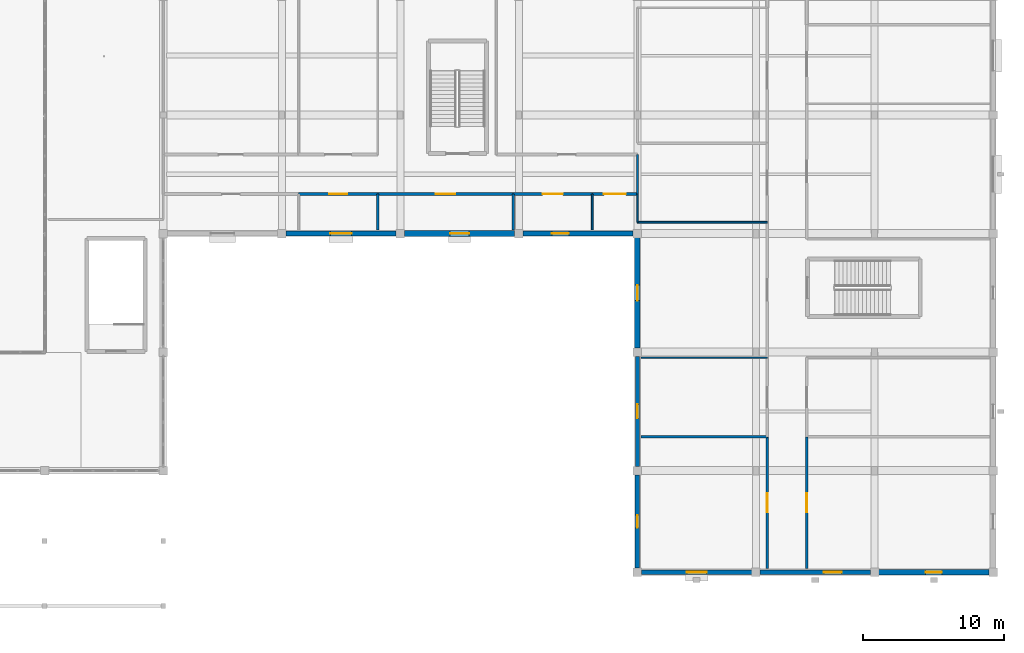
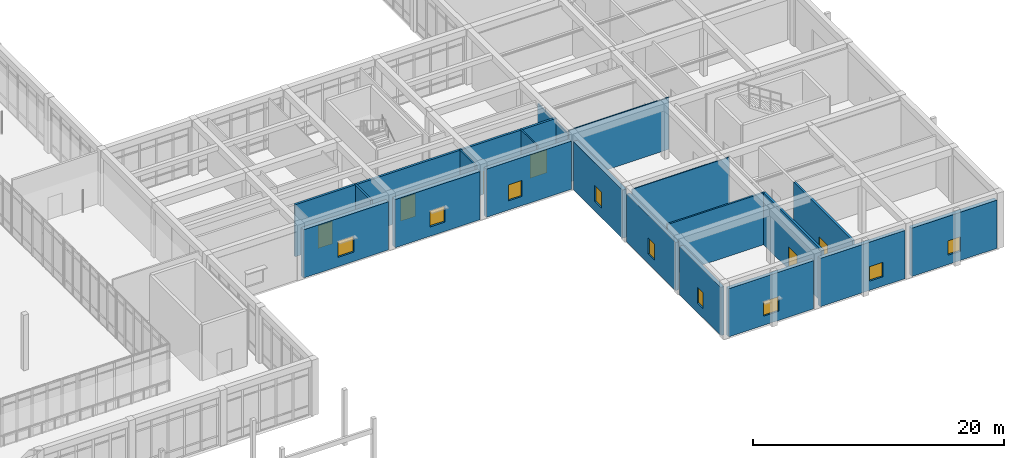
# One storey, part 89 of 157: 23 walls, 9 windows, 6 doors, 15 openings.
"""IFC4 building model written with IfcOpenShell, lengths in metres."""

from ifc_helpers import new_model, si_unit, direction, frame, frame_2d, origin, place, context, subcontext, project, spatial, rectangle, extrude, material, layer, layer_set, type_object, element, fill, save


model = new_model("IFC4")

# Units and contexts
model_context = context("Model", 3, precision=1e-05, world=origin(), true_north=direction((0.0, 1.0)))
body_context = subcontext(model_context, "Body", "Model", "MODEL_VIEW")
ifc_project = project(units=[si_unit("LENGTHUNIT", "METRE"), si_unit("AREAUNIT", "SQUARE_METRE"), si_unit("VOLUMEUNIT", "CUBIC_METRE"), si_unit("PLANEANGLEUNIT", "RADIAN"), si_unit("MASSUNIT", "GRAM", prefix="KILO")], contexts=[model_context])

# Site, building, storey
site_placement = place(None, origin())
site = spatial("IfcSite", under=ifc_project, at=site_placement, CompositionType="ELEMENT")
building_placement = place(site_placement, origin())
building = spatial("IfcBuilding", under=site, at=building_placement, Name="Varncliffe General Hospital", CompositionType="ELEMENT")
storey_placement = place(building_placement, frame((0.0, 0.0, 5.39990234375)))
storey = spatial("IfcBuildingStorey", under=building, at=storey_placement, Name="L01", CompositionType="ELEMENT", Elevation=5.39990234375)

# Wall, opening, window
ifc_material_1 = material(Name="Precast concrete C40/50 with insulated cream lime-cement stucco", Category="concrete")
ifc_layer_1 = layer(ifc_material_1, 0.31005859375)
ifc_layer_set_1 = layer_set([ifc_layer_1], Name="Precast concrete C40/50 with insulated cream lime-cement stucco")
wall_type_1 = type_object("IfcWallType", Name="Exterior Insulated Stucco Wall EW20 (310mm)", PredefinedType="SOLIDWALL", material=ifc_layer_set_1)
wall_1_placement = place(storey_placement, frame((151.199951171875, 0.298095703125, 0.0), z_axis=(0.0, 0.0, 1.0), x_axis=(0.0, 1.0, 0.0)))
wall_1 = element("IfcWall", 1, at=wall_1_placement, inside=storey, type_object=wall_type_1, Name="L01 Exterior Stucco Wall EW20-156", PredefinedType="SOLIDWALL", context=body_context, shape_type="SweptSolid", body=[
    extrude(rectangle(XDim=6.60400390625, YDim=0.31005859375, at=frame_2d((3.302001953125, 0.0))), origin(), (0.0, 0.0, 1.0), 4.68017578125),
])
opening_1_placement = place(wall_1_placement, frame((2.85205078125, 0.0, 0.89990234375)))
opening_1 = element("IfcOpeningElement", 2, at=opening_1_placement, cuts=wall_1, Name="Opening WN45", PredefinedType="OPENING", context=body_context, shape_type="SweptSolid", body=[
    extrude(rectangle(XDim=0.89990234375, YDim=1.550048828125, at=frame_2d((0.449951171875, 0.77490234375))), frame((0.0, 0.1650390625, 0.0), z_axis=(0.0, -1.0, 0.0), x_axis=(1.0, 0.0, 0.0)), (0.0, 0.0, 1.0), 0.330078125),
])
ifc_material_2 = material(Name="Triple low-E argon insulated vision glazing", Category="glass")
window_type_1 = type_object("IfcWindowType", Name="Triple-Glazed Hospital Window WN45 (900x1550)", PartitioningType="SINGLE_PANEL", PredefinedType="WINDOW", material=ifc_material_2)
window_1_placement = place(opening_1_placement, origin())
window_1 = element("IfcWindow", 3, at=window_1_placement, inside=storey, type_object=window_type_1, Name="L01 Hospital Window WN45-95", OverallHeight=1.550048828125, OverallWidth=0.89990234375, PartitioningType="SINGLE_PANEL", PredefinedType="WINDOW", context=body_context, shape_type="SweptSolid", body=[
    extrude(rectangle(XDim=0.89990234375, YDim=1.550048828125, at=frame_2d((0.449951171875, 0.77490234375))), frame((0.0, 0.030029296875, 0.0), z_axis=(0.0, -1.0, 0.0), x_axis=(1.0, 0.0, 0.0)), (0.0, 0.0, 1.0), 0.06005859375),
])
fill(opening_1, window_1)

ifc_layer_2 = layer(ifc_material_1, 0.3798828125)
ifc_layer_set_2 = layer_set([ifc_layer_2], Name="Precast concrete C40/50 with insulated cream lime-cement stucco")
wall_type_2 = type_object("IfcWallType", Name="Exterior Insulated Stucco Wall EW26 (380mm)", PredefinedType="SOLIDWALL", material=ifc_layer_set_2)
wall_2_placement = place(storey_placement, frame((176.10205078125, 0.0, 0.0), z_axis=(0.0, 0.0, 1.0), x_axis=(-1.0, 0.0, 0.0)))
wall_2 = element("IfcWall", 4, at=wall_2_placement, inside=storey, type_object=wall_type_2, Name="L01 Exterior Stucco Wall EW26-153", PredefinedType="SOLIDWALL", context=body_context, shape_type="SweptSolid", body=[
    extrude(rectangle(XDim=7.803955078125, YDim=0.3798828125, at=frame_2d((3.90185546875, 0.0))), origin(), (0.0, 0.0, 1.0), 4.68017578125),
])
opening_2_placement = place(wall_2_placement, frame((3.326904296875, 0.0, 0.89990234375)))
opening_2 = element("IfcOpeningElement", 5, at=opening_2_placement, cuts=wall_2, Name="Opening WN62", PredefinedType="OPENING", context=body_context, shape_type="SweptSolid", body=[
    extrude(rectangle(XDim=1.14990234375, YDim=1.39990234375, at=frame_2d((0.574951171875, 0.699951171875))), frame((0.0, 0.199951171875, 0.0), z_axis=(0.0, -1.0, 0.0), x_axis=(1.0, 0.0, 0.0)), (0.0, 0.0, 1.0), 0.39990234375),
])
window_type_2 = type_object("IfcWindowType", Name="Triple-Glazed Hospital Window WN62 (1150x1400)", PartitioningType="SINGLE_PANEL", PredefinedType="WINDOW", material=ifc_material_2)
window_2_placement = place(opening_2_placement, origin())
window_2 = element("IfcWindow", 6, at=window_2_placement, inside=storey, type_object=window_type_2, Name="L01 Hospital Window WN62-92", OverallHeight=1.39990234375, OverallWidth=1.14990234375, PartitioningType="SINGLE_PANEL", PredefinedType="WINDOW", context=body_context, shape_type="SweptSolid", body=[
    extrude(rectangle(XDim=1.14990234375, YDim=1.39990234375, at=frame_2d((0.574951171875, 0.699951171875))), frame((0.0, 0.030029296875, 0.0), z_axis=(0.0, -1.0, 0.0), x_axis=(1.0, 0.0, 0.0)), (0.0, 0.0, 1.0), 0.06005859375),
])
fill(opening_2, window_2)

wall_3_placement = place(storey_placement, frame((151.199951171875, 15.89794921875, 0.0), z_axis=(0.0, 0.0, 1.0), x_axis=(0.0, 1.0, 0.0)))
wall_3 = element("IfcWall", 7, at=wall_3_placement, inside=storey, type_object=wall_type_2, Name="L01 Exterior Stucco Wall EW26-158", PredefinedType="SOLIDWALL", context=body_context, shape_type="SweptSolid", body=[
    extrude(rectangle(XDim=7.803955078125, YDim=0.3798828125, at=frame_2d((3.90185546875, 0.0))), origin(), (0.0, 0.0, 1.0), 4.68017578125),
])
opening_3_placement = place(wall_3_placement, frame((3.35205078125, 0.0, 0.89990234375)))
opening_3 = element("IfcOpeningElement", 8, at=opening_3_placement, cuts=wall_3, Name="Opening WN69", PredefinedType="OPENING", context=body_context, shape_type="SweptSolid", body=[
    extrude(rectangle(XDim=1.10009765625, YDim=1.550048828125, at=frame_2d((0.550048828125, 0.77490234375))), frame((0.0, 0.199951171875, 0.0), z_axis=(0.0, -1.0, 0.0), x_axis=(1.0, 0.0, 0.0)), (0.0, 0.0, 1.0), 0.39990234375),
])
window_type_3 = type_object("IfcWindowType", Name="Triple-Glazed Hospital Window WN69 (1100x1550)", PartitioningType="SINGLE_PANEL", PredefinedType="WINDOW", material=ifc_material_2)
window_3_placement = place(opening_3_placement, origin())
window_3 = element("IfcWindow", 9, at=window_3_placement, inside=storey, type_object=window_type_3, Name="L01 Hospital Window WN69-97", OverallHeight=1.550048828125, OverallWidth=1.10009765625, PartitioningType="SINGLE_PANEL", PredefinedType="WINDOW", context=body_context, shape_type="SweptSolid", body=[
    extrude(rectangle(XDim=1.10009765625, YDim=1.550048828125, at=frame_2d((0.550048828125, 0.77490234375))), frame((0.0, 0.030029296875, 0.0), z_axis=(0.0, -1.0, 0.0), x_axis=(1.0, 0.0, 0.0)), (0.0, 0.0, 1.0), 0.06005859375),
])
fill(opening_3, window_3)

wall_4_placement = place(storey_placement, frame((134.10205078125, 24.0, 0.0), z_axis=(0.0, 0.0, 1.0), x_axis=(-1.0, 0.0, 0.0)))
wall_4 = element("IfcWall", 10, at=wall_4_placement, inside=storey, type_object=wall_type_2, Name="L01 Exterior Stucco Wall EW26-161", PredefinedType="SOLIDWALL", context=body_context, shape_type="SweptSolid", body=[
    extrude(rectangle(XDim=7.803955078125, YDim=0.3798828125, at=frame_2d((3.90185546875, 0.0))), origin(), (0.0, 0.0, 1.0), 4.68017578125),
])
opening_4_placement = place(wall_4_placement, frame((3.152099609375, 0.0, 0.89990234375)))
opening_4 = element("IfcOpeningElement", 11, at=opening_4_placement, cuts=wall_4, Name="Opening WN75", PredefinedType="OPENING", context=body_context, shape_type="SweptSolid", body=[
    extrude(rectangle(XDim=1.5, YDim=1.550048828125, at=frame_2d((0.75, 0.77490234375))), frame((0.0, 0.199951171875, 0.0), z_axis=(0.0, -1.0, 0.0), x_axis=(1.0, 0.0, 0.0)), (0.0, 0.0, 1.0), 0.39990234375),
])
window_type_4 = type_object("IfcWindowType", Name="Triple-Glazed Hospital Window WN75 (1500x1550)", PartitioningType="SINGLE_PANEL", PredefinedType="WINDOW", material=ifc_material_2)
window_4_placement = place(opening_4_placement, origin())
window_4 = element("IfcWindow", 12, at=window_4_placement, inside=storey, type_object=window_type_4, Name="L01 Hospital Window WN75-100", OverallHeight=1.550048828125, OverallWidth=1.5, PartitioningType="SINGLE_PANEL", PredefinedType="WINDOW", context=body_context, shape_type="SweptSolid", body=[
    extrude(rectangle(XDim=1.5, YDim=1.550048828125, at=frame_2d((0.75, 0.77490234375))), frame((0.0, 0.030029296875, 0.0), z_axis=(0.0, -1.0, 0.0), x_axis=(1.0, 0.0, 0.0)), (0.0, 0.0, 1.0), 0.06005859375),
])
fill(opening_4, window_4)

ifc_layer_3 = layer(ifc_material_1, 0.2900390625)
ifc_layer_set_3 = layer_set([ifc_layer_3], Name="Precast concrete C40/50 with insulated cream lime-cement stucco")
wall_type_3 = type_object("IfcWallType", Name="Exterior Insulated Stucco Wall EW31 (290mm)", PredefinedType="SOLIDWALL", material=ifc_layer_set_3)
wall_5_placement = place(storey_placement, frame((151.199951171875, 7.498046875, 0.0), z_axis=(0.0, 0.0, 1.0), x_axis=(0.0, 1.0, 0.0)))
wall_5 = element("IfcWall", 13, at=wall_5_placement, inside=storey, type_object=wall_type_3, Name="L01 Exterior Stucco Wall EW31-157", PredefinedType="SOLIDWALL", context=body_context, shape_type="SweptSolid", body=[
    extrude(rectangle(XDim=7.803955078125, YDim=0.2900390625, at=frame_2d((3.90185546875, 0.0))), origin(), (0.0, 0.0, 1.0), 4.68017578125),
])
opening_5_placement = place(wall_5_placement, frame((3.402099609375, 0.0, 0.89990234375)))
opening_5 = element("IfcOpeningElement", 14, at=opening_5_placement, cuts=wall_5, Name="Opening WN21", PredefinedType="OPENING", context=body_context, shape_type="SweptSolid", body=[
    extrude(rectangle(XDim=1.0, YDim=1.550048828125, at=frame_2d((0.5, 0.77490234375))), frame((0.0, 0.155029296875, 0.0), z_axis=(0.0, -1.0, 0.0), x_axis=(1.0, 0.0, 0.0)), (0.0, 0.0, 1.0), 0.31005859375),
])
window_type_5 = type_object("IfcWindowType", Name="Triple-Glazed Hospital Window WN21 (1000x1550)", PartitioningType="SINGLE_PANEL", PredefinedType="WINDOW", material=ifc_material_2)
window_5_placement = place(opening_5_placement, origin())
window_5 = element("IfcWindow", 15, at=window_5_placement, inside=storey, type_object=window_type_5, Name="L01 Hospital Window WN21-96", OverallHeight=1.550048828125, OverallWidth=1.0, PartitioningType="SINGLE_PANEL", PredefinedType="WINDOW", context=body_context, shape_type="SweptSolid", body=[
    extrude(rectangle(XDim=1.0, YDim=1.550048828125, at=frame_2d((0.5, 0.77490234375))), frame((0.0, 0.030029296875, 0.0), z_axis=(0.0, -1.0, 0.0), x_axis=(1.0, 0.0, 0.0)), (0.0, 0.0, 1.0), 0.06005859375),
])
fill(opening_5, window_5)

ifc_layer_4 = layer(ifc_material_1, 0.330078125)
ifc_layer_set_4 = layer_set([ifc_layer_4], Name="Precast concrete C40/50 with insulated cream lime-cement stucco")
wall_type_4 = type_object("IfcWallType", Name="Exterior Insulated Stucco Wall EW33 (330mm)", PredefinedType="SOLIDWALL", material=ifc_layer_set_4)
wall_6_placement = place(storey_placement, frame((159.302001953125, 0.0, 0.0), z_axis=(0.0, 0.0, 1.0), x_axis=(-1.0, 0.0, 0.0)))
wall_6 = element("IfcWall", 16, at=wall_6_placement, inside=storey, type_object=wall_type_4, Name="L01 Exterior Stucco Wall EW33-155", PredefinedType="SOLIDWALL", context=body_context, shape_type="SweptSolid", body=[
    extrude(rectangle(XDim=7.803955078125, YDim=0.330078125, at=frame_2d((3.90185546875, 0.0))), origin(), (0.0, 0.0, 1.0), 4.68017578125),
])
opening_6_placement = place(wall_6_placement, frame((3.201904296875, 0.0, 0.89990234375)))
opening_6 = element("IfcOpeningElement", 17, at=opening_6_placement, cuts=wall_6, Name="Opening WN76", PredefinedType="OPENING", context=body_context, shape_type="SweptSolid", body=[
    extrude(rectangle(XDim=1.39990234375, YDim=1.39990234375, at=frame_2d((0.699951171875, 0.699951171875))), frame((0.0, 0.175048828125, 0.0), z_axis=(0.0, -1.0, 0.0), x_axis=(1.0, 0.0, 0.0)), (0.0, 0.0, 1.0), 0.35009765625),
])
window_type_6 = type_object("IfcWindowType", Name="Triple-Glazed Hospital Window WN76 (1400x1400)", PartitioningType="SINGLE_PANEL", PredefinedType="WINDOW", material=ifc_material_2)
window_6_placement = place(opening_6_placement, origin())
window_6 = element("IfcWindow", 18, at=window_6_placement, inside=storey, type_object=window_type_6, Name="L01 Hospital Window WN76-94", OverallHeight=1.39990234375, OverallWidth=1.39990234375, PartitioningType="SINGLE_PANEL", PredefinedType="WINDOW", context=body_context, shape_type="SweptSolid", body=[
    extrude(rectangle(XDim=1.39990234375, YDim=1.39990234375, at=frame_2d((0.699951171875, 0.699951171875))), frame((0.0, 0.030029296875, 0.0), z_axis=(0.0, -1.0, 0.0), x_axis=(1.0, 0.0, 0.0)), (0.0, 0.0, 1.0), 0.06005859375),
])
fill(opening_6, window_6)

ifc_layer_5 = layer(ifc_material_1, 0.35009765625)
ifc_layer_set_5 = layer_set([ifc_layer_5], Name="Precast concrete C40/50 with insulated cream lime-cement stucco")
wall_type_5 = type_object("IfcWallType", Name="Exterior Insulated Stucco Wall EW37 (350mm)", PredefinedType="SOLIDWALL", material=ifc_layer_set_5)
wall_7_placement = place(storey_placement, frame((167.701904296875, 0.0, 0.0), z_axis=(0.0, 0.0, 1.0), x_axis=(-1.0, 0.0, 0.0)))
wall_7 = element("IfcWall", 19, at=wall_7_placement, inside=storey, type_object=wall_type_5, Name="L01 Exterior Stucco Wall EW37-154", PredefinedType="SOLIDWALL", context=body_context, shape_type="SweptSolid", body=[
    extrude(rectangle(XDim=7.803955078125, YDim=0.35009765625, at=frame_2d((3.90185546875, 0.0))), origin(), (0.0, 0.0, 1.0), 4.68017578125),
])
opening_7_placement = place(wall_7_placement, frame((2.033203125, 0.0, 0.89990234375)))
opening_7 = element("IfcOpeningElement", 20, at=opening_7_placement, cuts=wall_7, Name="Opening WN43", PredefinedType="OPENING", context=body_context, shape_type="SweptSolid", body=[
    extrude(rectangle(XDim=1.25, YDim=1.39990234375, at=frame_2d((0.625, 0.699951171875))), frame((0.0, 0.18505859375, 0.0), z_axis=(0.0, -1.0, 0.0), x_axis=(1.0, 0.0, 0.0)), (0.0, 0.0, 1.0), 0.3701171875),
])
window_type_7 = type_object("IfcWindowType", Name="Triple-Glazed Hospital Window WN43 (1250x1400)", PartitioningType="SINGLE_PANEL", PredefinedType="WINDOW", material=ifc_material_2)
window_7_placement = place(opening_7_placement, origin())
window_7 = element("IfcWindow", 21, at=window_7_placement, inside=storey, type_object=window_type_7, Name="L01 Hospital Window WN43-93", OverallHeight=1.39990234375, OverallWidth=1.25, PartitioningType="SINGLE_PANEL", PredefinedType="WINDOW", context=body_context, shape_type="SweptSolid", body=[
    extrude(rectangle(XDim=1.25, YDim=1.39990234375, at=frame_2d((0.625, 0.699951171875))), frame((0.0, 0.030029296875, 0.0), z_axis=(0.0, -1.0, 0.0), x_axis=(1.0, 0.0, 0.0)), (0.0, 0.0, 1.0), 0.06005859375),
])
fill(opening_7, window_7)

wall_8_placement = place(storey_placement, frame((150.902099609375, 24.0, 0.0), z_axis=(0.0, 0.0, 1.0), x_axis=(-1.0, 0.0, 0.0)))
wall_8 = element("IfcWall", 22, at=wall_8_placement, inside=storey, type_object=wall_type_5, Name="L01 Exterior Stucco Wall EW37-159", PredefinedType="SOLIDWALL", context=body_context, shape_type="SweptSolid", body=[
    extrude(rectangle(XDim=7.80419921875, YDim=0.35009765625, at=frame_2d((3.902099609375, 0.0))), origin(), (0.0, 0.0, 1.0), 4.68017578125),
])
opening_8_placement = place(wall_8_placement, frame((4.556884765625, 0.0, 0.89990234375)))
opening_8 = element("IfcOpeningElement", 23, at=opening_8_placement, cuts=wall_8, Name="Opening WN33", PredefinedType="OPENING", context=body_context, shape_type="SweptSolid", body=[
    extrude(rectangle(XDim=1.199951171875, YDim=1.550048828125, at=frame_2d((0.60009765625, 0.77490234375))), frame((0.0, 0.18505859375, 0.0), z_axis=(0.0, -1.0, 0.0), x_axis=(1.0, 0.0, 0.0)), (0.0, 0.0, 1.0), 0.3701171875),
])
window_type_8 = type_object("IfcWindowType", Name="Triple-Glazed Hospital Window WN33 (1200x1550)", PartitioningType="SINGLE_PANEL", PredefinedType="WINDOW", material=ifc_material_2)
window_8_placement = place(opening_8_placement, origin())
window_8 = element("IfcWindow", 24, at=window_8_placement, inside=storey, type_object=window_type_8, Name="L01 Hospital Window WN33-98", OverallHeight=1.550048828125, OverallWidth=1.199951171875, PartitioningType="SINGLE_PANEL", PredefinedType="WINDOW", context=body_context, shape_type="SweptSolid", body=[
    extrude(rectangle(XDim=1.199951171875, YDim=1.550048828125, at=frame_2d((0.60009765625, 0.77490234375))), frame((0.0, 0.030029296875, 0.0), z_axis=(0.0, -1.0, 0.0), x_axis=(1.0, 0.0, 0.0)), (0.0, 0.0, 1.0), 0.06005859375),
])
fill(opening_8, window_8)

ifc_layer_6 = layer(ifc_material_1, 0.39990234375)
ifc_layer_set_6 = layer_set([ifc_layer_6], Name="Precast concrete C40/50 with insulated cream lime-cement stucco")
wall_type_6 = type_object("IfcWallType", Name="Exterior Insulated Stucco Wall EW47 (400mm)", PredefinedType="SOLIDWALL", material=ifc_layer_set_6)
wall_9_placement = place(storey_placement, frame((142.501953125, 24.0, 0.0), z_axis=(0.0, 0.0, 1.0), x_axis=(-1.0, 0.0, 0.0)))
wall_9 = element("IfcWall", 25, at=wall_9_placement, inside=storey, type_object=wall_type_6, Name="L01 Exterior Stucco Wall EW47-160", PredefinedType="SOLIDWALL", context=body_context, shape_type="SweptSolid", body=[
    extrude(rectangle(XDim=7.803955078125, YDim=0.39990234375, at=frame_2d((3.90185546875, 0.0))), origin(), (0.0, 0.0, 1.0), 4.68017578125),
])
opening_9_placement = place(wall_9_placement, frame((3.22705078125, 0.0, 0.89990234375)))
opening_9 = element("IfcOpeningElement", 26, at=opening_9_placement, cuts=wall_9, Name="Opening WN24", PredefinedType="OPENING", context=body_context, shape_type="SweptSolid", body=[
    extrude(rectangle(XDim=1.35009765625, YDim=1.550048828125, at=frame_2d((0.675048828125, 0.77490234375))), frame((0.0, 0.2099609375, 0.0), z_axis=(0.0, -1.0, 0.0), x_axis=(1.0, 0.0, 0.0)), (0.0, 0.0, 1.0), 0.419921875),
])
window_type_9 = type_object("IfcWindowType", Name="Triple-Glazed Hospital Window WN24 (1350x1550)", PartitioningType="SINGLE_PANEL", PredefinedType="WINDOW", material=ifc_material_2)
window_9_placement = place(opening_9_placement, origin())
window_9 = element("IfcWindow", 27, at=window_9_placement, inside=storey, type_object=window_type_9, Name="L01 Hospital Window WN24-99", OverallHeight=1.550048828125, OverallWidth=1.35009765625, PartitioningType="SINGLE_PANEL", PredefinedType="WINDOW", context=body_context, shape_type="SweptSolid", body=[
    extrude(rectangle(XDim=1.35009765625, YDim=1.550048828125, at=frame_2d((0.675048828125, 0.77490234375))), frame((0.0, 0.030029296875, 0.0), z_axis=(0.0, -1.0, 0.0), x_axis=(1.0, 0.0, 0.0)), (0.0, 0.0, 1.0), 0.06005859375),
])
fill(opening_9, window_9)

# Walls
ifc_material_3 = material(Name="Acoustic clinical gypsum stud partition assembly", Category="gypsum")
ifc_layer_7 = layer(ifc_material_3, 0.1298828125)
ifc_layer_set_7 = layer_set([ifc_layer_7], Name="Acoustic clinical gypsum stud partition assembly")
wall_type_7 = type_object("IfcWallType", Name="Interior Partitioning IW11 (130mm)", PredefinedType="PARTITIONING", material=ifc_layer_set_7)
wall_10_placement = place(storey_placement, frame((148.0, 24.260009765625, 0.0), z_axis=(0.0, 0.0, 1.0), x_axis=(0.0, 1.0, 0.0)))
element("IfcWall", 28, at=wall_10_placement, inside=storey, type_object=wall_type_7, Name="L01 Interior Partition Wall IW11-838", PredefinedType="PARTITIONING", context=body_context, shape_type="SweptSolid", body=[
    extrude(rectangle(XDim=2.5400390625, YDim=0.1298828125, at=frame_2d((1.27001953125, 0.0))), origin(), (0.0, 0.0, 1.0), 5.050048828125),
])
wall_11_placement = place(storey_placement, frame((151.199951171875, 26.800048828125, 0.0), z_axis=(0.0, 0.0, 1.0), x_axis=(0.0, 1.0, 0.0)))
element("IfcWall", 29, at=wall_11_placement, inside=storey, type_object=wall_type_7, Name="L01 Interior Partition Wall IW11-843", PredefinedType="PARTITIONING", context=body_context, shape_type="SweptSolid", body=[
    extrude(rectangle(XDim=2.800048828125, YDim=0.1298828125, at=frame_2d((1.39990234375, 0.0))), origin(), (0.0, 0.0, 1.0), 4.735107421875),
])
ifc_layer_8 = layer(ifc_material_3, 0.169921875)
ifc_layer_set_8 = layer_set([ifc_layer_8], Name="Acoustic clinical gypsum stud partition assembly")
wall_type_8 = type_object("IfcWallType", Name="Interior Partitioning IW20 (170mm)", PredefinedType="PARTITIONING", material=ifc_layer_set_8)
wall_12_placement = place(storey_placement, frame((132.800048828125, 24.260009765625, 0.0), z_axis=(0.0, 0.0, 1.0), x_axis=(0.0, 1.0, 0.0)))
element("IfcWall", 30, at=wall_12_placement, inside=storey, type_object=wall_type_8, Name="L01 Interior Partition Wall IW20-820", PredefinedType="PARTITIONING", context=body_context, shape_type="SweptSolid", body=[
    extrude(rectangle(XDim=2.5400390625, YDim=0.169921875, at=frame_2d((1.27001953125, 0.0))), origin(), (0.0, 0.0, 1.0), 5.050048828125),
])
ifc_layer_9 = layer(ifc_material_3, 0.14990234375)
ifc_layer_set_9 = layer_set([ifc_layer_9], Name="Acoustic clinical gypsum stud partition assembly")
wall_type_9 = type_object("IfcWallType", Name="Interior Partitioning IW35 (150mm)", PredefinedType="PARTITIONING", material=ifc_layer_set_9)
wall_13_placement = place(storey_placement, frame((151.4599609375, 9.60009765625, 0.0), z_axis=(0.0, 0.0, 1.0), x_axis=(1.0, 0.0, 0.0)))
element("IfcWall", 31, at=wall_13_placement, inside=storey, type_object=wall_type_9, Name="L01 Interior Partition Wall IW35-424", PredefinedType="PARTITIONING", context=body_context, shape_type="SweptSolid", body=[
    extrude(rectangle(XDim=8.93994140625, YDim=0.14990234375, at=frame_2d((4.469970703125, 0.0))), origin(), (0.0, 0.0, 1.0), 5.050048828125),
])
wall_14_placement = place(storey_placement, frame((142.39990234375, 24.260009765625, 0.0), z_axis=(0.0, 0.0, 1.0), x_axis=(0.0, 1.0, 0.0)))
element("IfcWall", 32, at=wall_14_placement, inside=storey, type_object=wall_type_9, Name="L01 Interior Partition Wall IW35-829", PredefinedType="PARTITIONING", context=body_context, shape_type="SweptSolid", body=[
    extrude(rectangle(XDim=2.5400390625, YDim=0.14990234375, at=frame_2d((1.27001953125, 0.0))), origin(), (0.0, 0.0, 1.0), 5.050048828125),
])
ifc_layer_10 = layer(ifc_material_3, 0.090087890625)
ifc_layer_set_10 = layer_set([ifc_layer_10], Name="Acoustic clinical gypsum stud partition assembly")
wall_type_10 = type_object("IfcWallType", Name="Interior Partitioning IW42 (90mm)", PredefinedType="PARTITIONING", material=ifc_layer_set_10)
wall_15_placement = place(storey_placement, frame((151.4599609375, 15.199951171875, 0.0), z_axis=(0.0, 0.0, 1.0), x_axis=(1.0, 0.0, 0.0)))
element("IfcWall", 33, at=wall_15_placement, inside=storey, type_object=wall_type_10, Name="L01 Interior Partition Wall IW42-426", PredefinedType="PARTITIONING", context=body_context, shape_type="SweptSolid", body=[
    extrude(rectangle(XDim=8.93994140625, YDim=0.090087890625, at=frame_2d((4.469970703125, 0.0))), origin(), (0.0, 0.0, 1.0), 5.050048828125),
])
ifc_layer_11 = layer(ifc_material_3, 0.110107421875)
ifc_layer_set_11 = layer_set([ifc_layer_11], Name="Acoustic clinical gypsum stud partition assembly")
wall_type_11 = type_object("IfcWallType", Name="Interior Partitioning IW65 (110mm)", PredefinedType="PARTITIONING", material=ifc_layer_set_11)
wall_16_placement = place(storey_placement, frame((151.199951171875, 24.800048828125, 0.0), z_axis=(0.0, 0.0, 1.0), x_axis=(1.0, 0.0, 0.0)))
element("IfcWall", 34, at=wall_16_placement, inside=storey, type_object=wall_type_11, Name="L01 Interior Partition Wall IW65-432", PredefinedType="PARTITIONING", context=body_context, shape_type="SweptSolid", body=[
    extrude(rectangle(XDim=9.199951171875, YDim=0.110107421875, at=frame_2d((4.60009765625, 0.0))), origin(), (0.0, 0.0, 1.0), 5.050048828125),
])
wall_17_placement = place(storey_placement, frame((151.199951171875, 24.800048828125, 0.0), z_axis=(0.0, 0.0, 1.0), x_axis=(0.0, 1.0, 0.0)))
element("IfcWall", 35, at=wall_17_placement, inside=storey, type_object=wall_type_11, Name="L01 Interior Partition Wall IW65-842", PredefinedType="PARTITIONING", context=body_context, shape_type="SweptSolid", body=[
    extrude(rectangle(XDim=2.0, YDim=0.110107421875, at=frame_2d((1.0, 0.0))), origin(), (0.0, 0.0, 1.0), 4.735107421875),
])

# Wall, opening, door
ifc_material_4 = material(Name="Fire-rated gypsum and mineral-wool partition assembly", Category="gypsum")
ifc_layer_12 = layer(ifc_material_4, 0.199951171875)
ifc_layer_set_12 = layer_set([ifc_layer_12], Name="Fire-rated gypsum and mineral-wool partition assembly")
wall_type_12 = type_object("IfcWallType", Name="Interior Partitioning PW63 (200mm)", PredefinedType="PARTITIONING", material=ifc_layer_set_12)
wall_18_placement = place(storey_placement, frame((127.199951171875, 26.800048828125, 0.0), z_axis=(0.0, 0.0, 1.0), x_axis=(1.0, 0.0, 0.0)))
wall_18 = element("IfcWall", 36, at=wall_18_placement, inside=storey, type_object=wall_type_12, Name="L01 Interior Partition Wall PW63-438", PredefinedType="PARTITIONING", context=body_context, shape_type="SweptSolid", body=[
    extrude(rectangle(XDim=5.60009765625, YDim=0.199951171875, at=frame_2d((2.800048828125, 0.0))), origin(), (0.0, 0.0, 1.0), 5.050048828125),
])
opening_10_placement = place(wall_18_placement, frame((2.14990234375, 0.0, 0.0)))
opening_10 = element("IfcOpeningElement", 37, at=opening_10_placement, cuts=wall_18, Name="Opening DC88", PredefinedType="OPENING", context=body_context, shape_type="SweptSolid", body=[
    extrude(rectangle(XDim=1.300048828125, YDim=2.199951171875, at=frame_2d((0.64990234375, 1.10009765625))), frame((0.0, 0.10986328125, 0.0), z_axis=(0.0, -1.0, 0.0), x_axis=(1.0, 0.0, 0.0)), (0.0, 0.0, 1.0), 0.219970703125),
])
ifc_material_5 = material(Name="Fire-rated hospital steel-frame vision-panel door", Category="steel")
door_type_1 = type_object("IfcDoorType", Name="Interior Hospital Door DC88 (1300x2200)", OperationType="NOTDEFINED", PredefinedType="DOOR", material=ifc_material_5)
door_1_placement = place(opening_10_placement, frame((1.300048828125, 0.0, 0.0), z_axis=(0.0, 0.0, 1.0), x_axis=(-1.0, 0.0, 0.0)))
door_1 = element("IfcDoor", 38, at=door_1_placement, inside=storey, type_object=door_type_1, Name="L01 Specialist ENT and Ophthalmology Clinic 127 Door", OperationType="SINGLE_SWING_RIGHT", OverallHeight=2.199951171875, OverallWidth=1.300048828125, PredefinedType="DOOR", context=body_context, shape_type="SweptSolid", body=[
    extrude(rectangle(XDim=1.300048828125, YDim=2.199951171875, at=frame_2d((0.64990234375, 1.10009765625))), frame((0.0, 0.02490234375, 0.0), z_axis=(0.0, -1.0, 0.0), x_axis=(1.0, 0.0, 0.0)), (0.0, 0.0, 1.0), 0.050048828125),
])
fill(opening_10, door_1)

wall_19_placement = place(storey_placement, frame((132.800048828125, 26.800048828125, 0.0), z_axis=(0.0, 0.0, 1.0), x_axis=(1.0, 0.0, 0.0)))
wall_19 = element("IfcWall", 39, at=wall_19_placement, inside=storey, type_object=wall_type_12, Name="L01 Interior Partition Wall PW63-439", PredefinedType="PARTITIONING", context=body_context, shape_type="SweptSolid", body=[
    extrude(rectangle(XDim=9.599853515625, YDim=0.199951171875, at=frame_2d((4.7998046875, 0.0))), origin(), (0.0, 0.0, 1.0), 5.050048828125),
])
opening_11_placement = place(wall_19_placement, frame((4.125, 0.0, 0.0)))
opening_11 = element("IfcOpeningElement", 40, at=opening_11_placement, cuts=wall_19, Name="Opening DC85", PredefinedType="OPENING", context=body_context, shape_type="SweptSolid", body=[
    extrude(rectangle(XDim=1.35009765625, YDim=2.199951171875, at=frame_2d((0.675048828125, 1.10009765625))), frame((0.0, 0.10986328125, 0.0), z_axis=(0.0, -1.0, 0.0), x_axis=(1.0, 0.0, 0.0)), (0.0, 0.0, 1.0), 0.219970703125),
])
door_type_2 = type_object("IfcDoorType", Name="Interior Hospital Door DC85 (1350x2200)", OperationType="NOTDEFINED", PredefinedType="DOOR", material=ifc_material_5)
door_2_placement = place(opening_11_placement, frame((1.35009765625, 0.0, 0.0), z_axis=(0.0, 0.0, 1.0), x_axis=(-1.0, 0.0, 0.0)))
door_2 = element("IfcDoor", 41, at=door_2_placement, inside=storey, type_object=door_type_2, Name="L01 Hydrotherapy and Occupational Rehab Suite 128 Door", OperationType="SINGLE_SWING_LEFT", OverallHeight=2.199951171875, OverallWidth=1.35009765625, PredefinedType="DOOR", context=body_context, shape_type="SweptSolid", body=[
    extrude(rectangle(XDim=1.35009765625, YDim=2.199951171875, at=frame_2d((0.675048828125, 1.10009765625))), frame((0.0, 0.02490234375, 0.0), z_axis=(0.0, -1.0, 0.0), x_axis=(1.0, 0.0, 0.0)), (0.0, 0.0, 1.0), 0.050048828125),
])
fill(opening_11, door_2)

wall_20_placement = place(storey_placement, frame((142.39990234375, 26.800048828125, 0.0), z_axis=(0.0, 0.0, 1.0), x_axis=(1.0, 0.0, 0.0)))
wall_20 = element("IfcWall", 42, at=wall_20_placement, inside=storey, type_object=wall_type_12, Name="L01 Interior Partition Wall PW63-440", PredefinedType="PARTITIONING", context=body_context, shape_type="SweptSolid", body=[
    extrude(rectangle(XDim=5.60009765625, YDim=0.199951171875, at=frame_2d((2.800048828125, 0.0))), origin(), (0.0, 0.0, 1.0), 5.050048828125),
])
opening_12_placement = place(wall_20_placement, frame((2.074951171875, 0.0, 0.0)))
opening_12 = element("IfcOpeningElement", 43, at=opening_12_placement, cuts=wall_20, Name="Opening DC66", PredefinedType="OPENING", context=body_context, shape_type="SweptSolid", body=[
    extrude(rectangle(XDim=1.449951171875, YDim=2.25, at=frame_2d((0.72509765625, 1.125))), frame((0.0, 0.10986328125, 0.0), z_axis=(0.0, -1.0, 0.0), x_axis=(1.0, 0.0, 0.0)), (0.0, 0.0, 1.0), 0.219970703125),
])
door_type_3 = type_object("IfcDoorType", Name="Interior Hospital Door DC66 (1450x2250)", OperationType="NOTDEFINED", PredefinedType="DOOR", material=ifc_material_5)
door_3_placement = place(opening_12_placement, frame((1.449951171875, 0.0, 0.0), z_axis=(0.0, 0.0, 1.0), x_axis=(-1.0, 0.0, 0.0)))
door_3 = element("IfcDoor", 44, at=door_3_placement, inside=storey, type_object=door_type_3, Name="L01 Specialist ENT and Ophthalmology Clinic 129 Door", OperationType="SINGLE_SWING_RIGHT", OverallHeight=2.25, OverallWidth=1.449951171875, PredefinedType="DOOR", context=body_context, shape_type="SweptSolid", body=[
    extrude(rectangle(XDim=1.449951171875, YDim=2.25, at=frame_2d((0.72509765625, 1.125))), frame((0.0, 0.02490234375, 0.0), z_axis=(0.0, -1.0, 0.0), x_axis=(1.0, 0.0, 0.0)), (0.0, 0.0, 1.0), 0.050048828125),
])
fill(opening_12, door_3)

wall_21_placement = place(storey_placement, frame((148.0, 26.800048828125, 0.0), z_axis=(0.0, 0.0, 1.0), x_axis=(1.0, 0.0, 0.0)))
wall_21 = element("IfcWall", 45, at=wall_21_placement, inside=storey, type_object=wall_type_12, Name="L01 Interior Partition Wall PW63-441", PredefinedType="PARTITIONING", context=body_context, shape_type="SweptSolid", body=[
    extrude(rectangle(XDim=3.199951171875, YDim=0.199951171875, at=frame_2d((1.60009765625, 0.0))), origin(), (0.0, 0.0, 1.0), 5.050048828125),
])
opening_13_placement = place(wall_21_placement, frame((0.824951171875, 0.0, 0.0)))
opening_13 = element("IfcOpeningElement", 46, at=opening_13_placement, cuts=wall_21, Name="Opening DC67", PredefinedType="OPENING", context=body_context, shape_type="SweptSolid", body=[
    extrude(rectangle(XDim=1.550048828125, YDim=2.25, at=frame_2d((0.77490234375, 1.125))), frame((0.0, 0.10986328125, 0.0), z_axis=(0.0, -1.0, 0.0), x_axis=(1.0, 0.0, 0.0)), (0.0, 0.0, 1.0), 0.219970703125),
])
door_type_4 = type_object("IfcDoorType", Name="Interior Hospital Door DC67 (1550x2250)", OperationType="NOTDEFINED", PredefinedType="DOOR", material=ifc_material_5)
door_4_placement = place(opening_13_placement, frame((1.550048828125, 0.0, 0.0), z_axis=(0.0, 0.0, 1.0), x_axis=(-1.0, 0.0, 0.0)))
door_4 = element("IfcDoor", 47, at=door_4_placement, inside=storey, type_object=door_type_4, Name="L01 Hydrotherapy and Occupational Rehab Suite 130 Door", OperationType="SINGLE_SWING_LEFT", OverallHeight=2.25, OverallWidth=1.550048828125, PredefinedType="DOOR", context=body_context, shape_type="SweptSolid", body=[
    extrude(rectangle(XDim=1.550048828125, YDim=2.25, at=frame_2d((0.77490234375, 1.125))), frame((0.0, 0.02490234375, 0.0), z_axis=(0.0, -1.0, 0.0), x_axis=(1.0, 0.0, 0.0)), (0.0, 0.0, 1.0), 0.050048828125),
])
fill(opening_13, door_4)

wall_22_placement = place(storey_placement, frame((160.39990234375, 0.260009765625, 0.0), z_axis=(0.0, 0.0, 1.0), x_axis=(0.0, 1.0, 0.0)))
wall_22 = element("IfcWall", 48, at=wall_22_placement, inside=storey, type_object=wall_type_12, Name="L01 Interior Partition Wall PW63-861", PredefinedType="PARTITIONING", context=body_context, shape_type="SweptSolid", body=[
    extrude(rectangle(XDim=9.340087890625, YDim=0.199951171875, at=frame_2d((4.669921875, 0.0))), origin(), (0.0, 0.0, 1.0), 5.050048828125),
])
opening_14_placement = place(wall_22_placement, frame((3.9951171875, 0.0, 0.0)))
opening_14 = element("IfcOpeningElement", 49, at=opening_14_placement, cuts=wall_22, Name="Opening DC85", PredefinedType="OPENING", context=body_context, shape_type="SweptSolid", body=[
    extrude(rectangle(XDim=1.35009765625, YDim=2.199951171875, at=frame_2d((0.675048828125, 1.10009765625))), frame((0.0, 0.10986328125, 0.0), z_axis=(0.0, -1.0, 0.0), x_axis=(1.0, 0.0, 0.0)), (0.0, 0.0, 1.0), 0.219970703125),
])
door_5_placement = place(opening_14_placement, origin())
door_5 = element("IfcDoor", 50, at=door_5_placement, inside=storey, type_object=door_type_2, Name="L01 Hydrotherapy and Occupational Rehab Suite 104 Door", OperationType="SINGLE_SWING_RIGHT", OverallHeight=2.199951171875, OverallWidth=1.35009765625, PredefinedType="DOOR", context=body_context, shape_type="SweptSolid", body=[
    extrude(rectangle(XDim=1.35009765625, YDim=2.199951171875, at=frame_2d((0.675048828125, 1.10009765625))), frame((0.0, 0.02490234375, 0.0), z_axis=(0.0, -1.0, 0.0), x_axis=(1.0, 0.0, 0.0)), (0.0, 0.0, 1.0), 0.050048828125),
])
fill(opening_14, door_5)

wall_23_placement = place(storey_placement, frame((163.199951171875, 0.260009765625, 0.0), z_axis=(0.0, 0.0, 1.0), x_axis=(0.0, 1.0, 0.0)))
wall_23 = element("IfcWall", 51, at=wall_23_placement, inside=storey, type_object=wall_type_12, Name="L01 Interior Partition Wall PW63-875", PredefinedType="PARTITIONING", context=body_context, shape_type="SweptSolid", body=[
    extrude(rectangle(XDim=9.340087890625, YDim=0.199951171875, at=frame_2d((4.669921875, 0.0))), origin(), (0.0, 0.0, 1.0), 5.050048828125),
])
opening_15_placement = place(wall_23_placement, frame((3.9951171875, 0.0, 0.0)))
opening_15 = element("IfcOpeningElement", 52, at=opening_15_placement, cuts=wall_23, Name="Opening DC85", PredefinedType="OPENING", context=body_context, shape_type="SweptSolid", body=[
    extrude(rectangle(XDim=1.35009765625, YDim=2.199951171875, at=frame_2d((0.675048828125, 1.10009765625))), frame((0.0, 0.10986328125, 0.0), z_axis=(0.0, -1.0, 0.0), x_axis=(1.0, 0.0, 0.0)), (0.0, 0.0, 1.0), 0.219970703125),
])
door_6_placement = place(opening_15_placement, frame((1.35009765625, 0.0, 0.0), z_axis=(0.0, 0.0, 1.0), x_axis=(-1.0, 0.0, 0.0)))
door_6 = element("IfcDoor", 53, at=door_6_placement, inside=storey, type_object=door_type_2, Name="L01 Hydrotherapy and Occupational Rehab Suite 115 Door", OperationType="SINGLE_SWING_RIGHT", OverallHeight=2.199951171875, OverallWidth=1.35009765625, PredefinedType="DOOR", context=body_context, shape_type="SweptSolid", body=[
    extrude(rectangle(XDim=1.35009765625, YDim=2.199951171875, at=frame_2d((0.675048828125, 1.10009765625))), frame((0.0, 0.02490234375, 0.0), z_axis=(0.0, -1.0, 0.0), x_axis=(1.0, 0.0, 0.0)), (0.0, 0.0, 1.0), 0.050048828125),
])
fill(opening_15, door_6)

save(model, "model.ifc")
